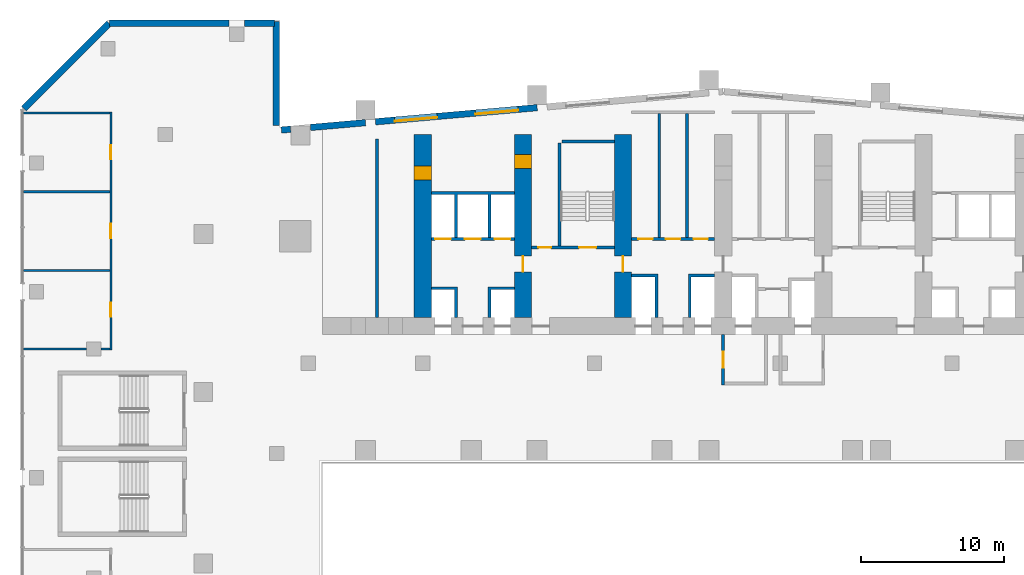
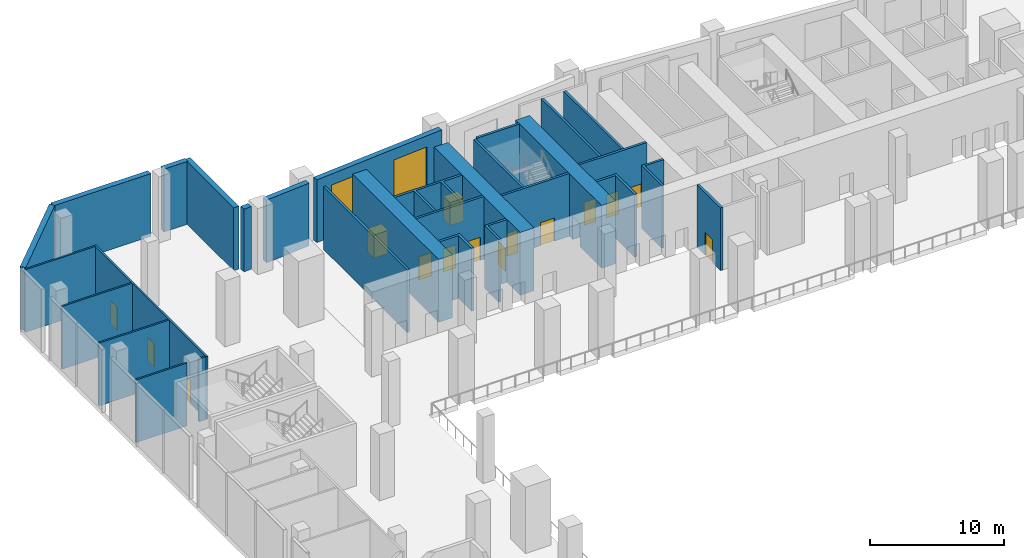
# One storey, part 14 of 30: 30 walls, 16 doors, 2 windows, 18 openings.
"""IFC4 building model written with IfcOpenShell, lengths in metres."""

from ifc_helpers import new_model, si_unit, direction, frame, frame_2d, origin, place, context, subcontext, project, spatial, polyline, rectangle, outline, extrude, material, layer, layer_set, type_object, element, fill, save


model = new_model("IFC4")

# Units and contexts
model_context = context("Model", 3, precision=1e-05, world=origin(), true_north=direction((0.0, 1.0)))
body_context = subcontext(model_context, "Body", "Model", "MODEL_VIEW")
ifc_project = project(units=[si_unit("LENGTHUNIT", "METRE"), si_unit("AREAUNIT", "SQUARE_METRE"), si_unit("VOLUMEUNIT", "CUBIC_METRE"), si_unit("PLANEANGLEUNIT", "RADIAN"), si_unit("MASSUNIT", "GRAM", prefix="KILO")], contexts=[model_context])

# Site, building, storey
site_placement = place(None, origin())
site = spatial("IfcSite", under=ifc_project, at=site_placement, CompositionType="ELEMENT")
building_placement = place(site_placement, origin())
building = spatial("IfcBuilding", under=site, at=building_placement, Name="Wharfspan Tower", CompositionType="ELEMENT")
storey_placement = place(building_placement, frame((0.0, 0.0, 21.5)))
storey = spatial("IfcBuildingStorey", under=building, at=storey_placement, Name="L03", CompositionType="ELEMENT", Elevation=21.5)

# Walls
ifc_material_1 = material(Name="Calcium silicate masonry", Category="masonry")
ifc_layer_1 = layer(ifc_material_1, 0.199951)
ifc_layer_set_1 = layer_set([ifc_layer_1], Name="Calcium silicate masonry")
wall_type_1 = type_object("IfcWallType", Name="Core room wall 200", PredefinedType="PARTITIONING", material=ifc_layer_set_1)
wall_1_placement = place(storey_placement, frame((12.800049, 35.199951, 0.0), z_axis=(0.0, 0.0, 1.0), x_axis=(0.0, 1.0, 0.0)))
element("IfcWall", 1, at=wall_1_placement, inside=storey, type_object=wall_type_1, Name="sw:L03:RM0", PredefinedType="PARTITIONING", context=body_context, shape_type="SweptSolid", body=[
    extrude(rectangle(XDim=12.467773, YDim=0.199951, at=frame_2d((6.233887, 0.0))), origin(), (0.0, 0.0, 1.0), 5.699951),
])
for number, where, z_axis, x_axis, name in (
    (2, (32.533203, 40.800049, 0.0), (0.0, 0.0, 1.0), (0.0, 1.0, 0.0), "sw:L03:RP3.1"),
    (3, (34.466797, 40.800049, 0.0), (0.0, 0.0, 1.0), (0.0, 1.0, 0.0), "sw:L03:RP3.2"),
):
    element("IfcWall", number, at=place(storey_placement, frame(where, z_axis=z_axis, x_axis=x_axis)), inside=storey, type_object=wall_type_1, Name=name, PredefinedType="PARTITIONING", context=body_context, shape_type="SweptSolid", body=[
        extrude(rectangle(XDim=8.652588, YDim=0.199951, at=frame_2d((4.326172, 0.0))), origin(), (0.0, 0.0, 1.0), 5.699951),
    ])

# Wall, opening, door
ifc_material_2 = material(Name="Concrete C70/85", Category="concrete")
ifc_layer_2 = layer(ifc_material_2, 1.199951)
ifc_layer_set_2 = layer_set([ifc_layer_2], Name="Concrete C70/85")
wall_type_2 = type_object("IfcWallType", Name="Core wall fallback 1.2", PredefinedType="SHEAR", material=ifc_layer_set_2)
wall_2_placement = place(storey_placement, frame((16.0, 35.199951, 0.0), z_axis=(0.0, 0.0, 1.0), x_axis=(0.0, 1.0, 0.0)))
wall_2 = element("IfcWall", 4, at=wall_2_placement, inside=storey, type_object=wall_type_2, Name="cw:L03:X1", PredefinedType="SHEAR", context=body_context, shape_type="SweptSolid", body=[
    extrude(rectangle(XDim=12.800049, YDim=1.199951, at=frame_2d((6.399902, 0.0))), origin(), (0.0, 0.0, 1.0), 5.699951),
])
opening_1_placement = place(wall_2_placement, frame((9.600098, 0.0, 0.0)))
opening_1 = element("IfcOpeningElement", 5, at=opening_1_placement, cuts=wall_2, Name="Opening CR03.1", PredefinedType="OPENING", context=body_context, shape_type="SweptSolid", body=[
    extrude(rectangle(XDim=1.0, YDim=2.100098, at=frame_2d((0.5, 1.050049))), frame((0.0, 0.609863, 0.0), z_axis=(0.0, -1.0, 0.0), x_axis=(1.0, 0.0, 0.0)), (0.0, 0.0, 1.0), 1.219971),
])
ifc_material_3 = material(Name="Steel door leaf", Category="steel")
door_type_1 = type_object("IfcDoorType", Name="Core room door 1000x2100", OperationType="SINGLE_SWING_LEFT", PredefinedType="DOOR", material=ifc_material_3)
door_1_placement = place(opening_1_placement, origin())
door_1 = element("IfcDoor", 6, at=door_1_placement, inside=storey, type_object=door_type_1, Name="xr:L03:1", OperationType="SINGLE_SWING_RIGHT", OverallHeight=2.100098, OverallWidth=1.0, PredefinedType="DOOR", context=body_context, shape_type="SweptSolid", body=[
    extrude(rectangle(XDim=1.0, YDim=2.100098, at=frame_2d((0.5, 1.050049))), frame((0.0, 0.599609, 0.0), z_axis=(0.0, -1.0, 0.0), x_axis=(1.0, 0.0, 0.0)), (0.0, 0.0, 1.0), 1.199463),
])
fill(opening_1, door_1)

# Wall, openings, doors
wall_3_placement = place(storey_placement, frame((23.0, 35.199951, 0.0), z_axis=(0.0, 0.0, 1.0), x_axis=(0.0, 1.0, 0.0)))
wall_3 = element("IfcWall", 7, at=wall_3_placement, inside=storey, type_object=wall_type_2, Name="cw:L03:X2", PredefinedType="SHEAR", context=body_context, shape_type="SweptSolid", body=[
    extrude(rectangle(XDim=12.800049, YDim=1.199951, at=frame_2d((6.399902, 0.0))), origin(), (0.0, 0.0, 1.0), 5.699951),
])
opening_2_placement = place(wall_3_placement, frame((10.413818, 0.0, 0.0)))
opening_2 = element("IfcOpeningElement", 8, at=opening_2_placement, cuts=wall_3, Name="Opening CD03.1X", PredefinedType="OPENING", context=body_context, shape_type="SweptSolid", body=[
    extrude(rectangle(XDim=1.0, YDim=2.100098, at=frame_2d((0.5, 1.050049))), frame((0.0, 0.609863, 0.0), z_axis=(0.0, -1.0, 0.0), x_axis=(1.0, 0.0, 0.0)), (0.0, 0.0, 1.0), 1.219971),
])
opening_3_placement = place(wall_3_placement, frame((3.199951, 0.0, 0.0)))
opening_3 = element("IfcOpeningElement", 9, at=opening_3_placement, cuts=wall_3, Name="Opening CC03.2", PredefinedType="OPENING", context=body_context, shape_type="SweptSolid", body=[
    extrude(rectangle(XDim=1.100098, YDim=2.100098, at=frame_2d((0.550049, 1.050049))), frame((0.0, 0.609863, 0.0), z_axis=(0.0, -1.0, 0.0), x_axis=(1.0, 0.0, 0.0)), (0.0, 0.0, 1.0), 1.219971),
])
door_type_2 = type_object("IfcDoorType", Name="Core corridor door 1100x2100", OperationType="SINGLE_SWING_LEFT", PredefinedType="DOOR", material=ifc_material_3)
door_2_placement = place(opening_3_placement, origin())
door_2 = element("IfcDoor", 10, at=door_2_placement, inside=storey, type_object=door_type_2, Name="xd:L03:2", OperationType="SINGLE_SWING_RIGHT", OverallHeight=2.100098, OverallWidth=1.100098, PredefinedType="DOOR", context=body_context, shape_type="SweptSolid", body=[
    extrude(rectangle(XDim=1.100098, YDim=2.100098, at=frame_2d((0.550049, 1.050049))), frame((0.0, 0.024902, 0.0), z_axis=(0.0, -1.0, 0.0), x_axis=(1.0, 0.0, 0.0)), (0.0, 0.0, 1.0), 0.050049),
])
fill(opening_3, door_2)
door_3_placement = place(opening_2_placement, origin())
door_3 = element("IfcDoor", 11, at=door_3_placement, inside=storey, type_object=door_type_1, Name="d:L03:1:sx", OperationType="SINGLE_SWING_LEFT", OverallHeight=2.100098, OverallWidth=1.0, PredefinedType="DOOR", context=body_context, shape_type="SweptSolid", body=[
    extrude(rectangle(XDim=1.0, YDim=2.100098, at=frame_2d((0.5, 1.050049))), frame((0.0, 0.599609, 0.0), z_axis=(0.0, -1.0, 0.0), x_axis=(1.0, 0.0, 0.0)), (0.0, 0.0, 1.0), 1.199463),
])
fill(opening_2, door_3)

# Wall, opening, door
wall_4_placement = place(storey_placement, frame((30.0, 35.199951, 0.0), z_axis=(0.0, 0.0, 1.0), x_axis=(0.0, 1.0, 0.0)))
wall_4 = element("IfcWall", 12, at=wall_4_placement, inside=storey, type_object=wall_type_2, Name="cw:L03:X3", PredefinedType="SHEAR", context=body_context, shape_type="SweptSolid", body=[
    extrude(rectangle(XDim=12.800049, YDim=1.199951, at=frame_2d((6.399902, 0.0))), origin(), (0.0, 0.0, 1.0), 5.699951),
])
opening_4_placement = place(wall_4_placement, frame((3.199951, 0.0, 0.0)))
opening_4 = element("IfcOpeningElement", 13, at=opening_4_placement, cuts=wall_4, Name="Opening CC03.3", PredefinedType="OPENING", context=body_context, shape_type="SweptSolid", body=[
    extrude(rectangle(XDim=1.100098, YDim=2.100098, at=frame_2d((0.550049, 1.050049))), frame((0.0, 0.609863, 0.0), z_axis=(0.0, -1.0, 0.0), x_axis=(1.0, 0.0, 0.0)), (0.0, 0.0, 1.0), 1.219971),
])
door_4_placement = place(opening_4_placement, origin())
door_4 = element("IfcDoor", 14, at=door_4_placement, inside=storey, type_object=door_type_2, Name="xd:L03:3", OperationType="SINGLE_SWING_LEFT", OverallHeight=2.100098, OverallWidth=1.100098, PredefinedType="DOOR", context=body_context, shape_type="SweptSolid", body=[
    extrude(rectangle(XDim=1.100098, YDim=2.100098, at=frame_2d((0.550049, 1.050049))), frame((0.0, 0.024902, 0.0), z_axis=(0.0, -1.0, 0.0), x_axis=(1.0, 0.0, 0.0)), (0.0, 0.0, 1.0), 0.050049),
])
fill(opening_4, door_4)

# Wall, openings, doors
ifc_material_4 = material(Name="Concrete C30/37", Category="concrete")
ifc_layer_3 = layer(ifc_material_4, 0.199951)
ifc_layer_set_3 = layer_set([ifc_layer_3], Name="Concrete C30/37")
wall_type_3 = type_object("IfcWallType", Name="Lift shaft wall 200", PredefinedType="PARTITIONING", material=ifc_layer_set_3)
wall_5_placement = place(storey_placement, frame((16.600098, 40.699951, 0.0), z_axis=(0.0, 0.0, 1.0), x_axis=(1.0, 0.0, 0.0)))
wall_5 = element("IfcWall", 15, at=wall_5_placement, inside=storey, type_object=wall_type_3, Name="sw:L03:RF1", PredefinedType="PARTITIONING", context=body_context, shape_type="SweptSolid", body=[
    extrude(rectangle(XDim=5.799805, YDim=0.199951, at=frame_2d((2.899902, 0.0))), origin(), (0.0, 0.0, 1.0), 5.699951),
])
opening_5_placement = place(wall_5_placement, frame((0.266602, 0.0, 0.0)))
opening_5 = element("IfcOpeningElement", 16, at=opening_5_placement, cuts=wall_5, Name="Opening LD.LA3.L03", PredefinedType="OPENING", context=body_context, shape_type="SweptSolid", body=[
    extrude(rectangle(XDim=1.100098, YDim=2.100098, at=frame_2d((0.550049, 1.050049))), frame((0.0, 0.109863, 0.0), z_axis=(0.0, -1.0, 0.0), x_axis=(1.0, 0.0, 0.0)), (0.0, 0.0, 1.0), 0.219971),
])
opening_6_placement = place(wall_5_placement, frame((2.350098, 0.0, 0.0)))
opening_6 = element("IfcOpeningElement", 17, at=opening_6_placement, cuts=wall_5, Name="Opening LD.LA4.L03", PredefinedType="OPENING", context=body_context, shape_type="SweptSolid", body=[
    extrude(rectangle(XDim=1.100098, YDim=2.100098, at=frame_2d((0.550049, 1.050049))), frame((0.0, 0.109863, 0.0), z_axis=(0.0, -1.0, 0.0), x_axis=(1.0, 0.0, 0.0)), (0.0, 0.0, 1.0), 0.219971),
])
opening_7_placement = place(wall_5_placement, frame((4.43335, 0.0, 0.0)))
opening_7 = element("IfcOpeningElement", 18, at=opening_7_placement, cuts=wall_5, Name="Opening LD.LA5.L03", PredefinedType="OPENING", context=body_context, shape_type="SweptSolid", body=[
    extrude(rectangle(XDim=1.100098, YDim=2.100098, at=frame_2d((0.550049, 1.050049))), frame((0.0, 0.109863, 0.0), z_axis=(0.0, -1.0, 0.0), x_axis=(1.0, 0.0, 0.0)), (0.0, 0.0, 1.0), 0.219971),
])
ifc_material_5 = material(Name="Stainless steel", Category="steel")
door_type_3 = type_object("IfcDoorType", Name="Lift landing door 1100x2100", OperationType="DOUBLE_DOOR_SLIDING", PredefinedType="DOOR", material=ifc_material_5)
door_5_placement = place(opening_5_placement, origin())
door_5 = element("IfcDoor", 19, at=door_5_placement, inside=storey, type_object=door_type_3, Name="Landing door LA3 L03", OperationType="DOUBLE_DOOR_SLIDING", OverallHeight=2.100098, OverallWidth=1.100098, PredefinedType="DOOR", context=body_context, shape_type="SweptSolid", body=[
    extrude(rectangle(XDim=1.100098, YDim=2.100098, at=frame_2d((0.550049, 1.050049))), frame((0.0, 0.024902, 0.0), z_axis=(0.0, -1.0, 0.0), x_axis=(1.0, 0.0, 0.0)), (0.0, 0.0, 1.0), 0.050049),
])
fill(opening_5, door_5)
door_6_placement = place(opening_6_placement, origin())
door_6 = element("IfcDoor", 20, at=door_6_placement, inside=storey, type_object=door_type_3, Name="Landing door LA4 L03", OperationType="DOUBLE_DOOR_SLIDING", OverallHeight=2.100098, OverallWidth=1.100098, PredefinedType="DOOR", context=body_context, shape_type="SweptSolid", body=[
    extrude(rectangle(XDim=1.100098, YDim=2.100098, at=frame_2d((0.550049, 1.050049))), frame((0.0, 0.024902, 0.0), z_axis=(0.0, -1.0, 0.0), x_axis=(1.0, 0.0, 0.0)), (0.0, 0.0, 1.0), 0.050049),
])
fill(opening_6, door_6)
door_7_placement = place(opening_7_placement, origin())
door_7 = element("IfcDoor", 21, at=door_7_placement, inside=storey, type_object=door_type_3, Name="Landing door LA5 L03", OperationType="DOUBLE_DOOR_SLIDING", OverallHeight=2.100098, OverallWidth=1.100098, PredefinedType="DOOR", context=body_context, shape_type="SweptSolid", body=[
    extrude(rectangle(XDim=1.100098, YDim=2.100098, at=frame_2d((0.550049, 1.050049))), frame((0.0, 0.024902, 0.0), z_axis=(0.0, -1.0, 0.0), x_axis=(1.0, 0.0, 0.0)), (0.0, 0.0, 1.0), 0.050049),
])
fill(opening_7, door_7)

# Walls
wall_6_placement = place(storey_placement, frame((0.0, 0.0, -0.000244)))
element("IfcWall", 22, at=wall_6_placement, inside=storey, type_object=wall_type_3, Name="sw:L03:FM1.0", PredefinedType="PARTITIONING", context=body_context, shape_type="SweptSolid", body=[
    extrude(outline(polyline([(18.233398, 37.149902), (16.600098, 37.149902), (16.600098, 37.350098), (18.233398, 37.350098), (18.43335, 37.350098), (18.43335, 35.199951), (18.233398, 35.199951), (18.233398, 37.149902)])), origin(), (0.0, 0.0, 1.0), 5.700195),
])
wall_7_placement = place(storey_placement, frame((0.0, 0.0, -0.000244)))
element("IfcWall", 23, at=wall_7_placement, inside=storey, type_object=wall_type_3, Name="sw:L03:FM1.1", PredefinedType="PARTITIONING", context=body_context, shape_type="SweptSolid", body=[
    extrude(outline(polyline([(20.56665, 37.350098), (20.766602, 37.350098), (22.399902, 37.350098), (22.399902, 37.149902), (20.766602, 37.149902), (20.766602, 35.199951), (20.56665, 35.199951), (20.56665, 37.350098)])), origin(), (0.0, 0.0, 1.0), 5.700195),
])
wall_8_placement = place(storey_placement, frame((0.0, 0.0, -0.000244)))
element("IfcWall", 24, at=wall_8_placement, inside=storey, type_object=wall_type_3, Name="sw:L03:RM1.0", PredefinedType="PARTITIONING", context=body_context, shape_type="SweptSolid", body=[
    extrude(outline(polyline([(18.43335, 40.800049), (18.233398, 40.800049), (18.233398, 43.800049), (16.600098, 43.800049), (16.600098, 44.0), (22.399902, 44.0), (22.399902, 43.800049), (20.766602, 43.800049), (20.766602, 40.800049), (20.56665, 40.800049), (20.56665, 43.800049), (18.43335, 43.800049), (18.43335, 40.800049)])), origin(), (0.0, 0.0, 1.0), 5.700195),
])

# Wall, openings, doors
wall_9_placement = place(storey_placement, frame((30.600098, 40.699951, 0.0), z_axis=(0.0, 0.0, 1.0), x_axis=(1.0, 0.0, 0.0)))
wall_9 = element("IfcWall", 25, at=wall_9_placement, inside=storey, type_object=wall_type_3, Name="sw:L03:RF3", PredefinedType="PARTITIONING", context=body_context, shape_type="SweptSolid", body=[
    extrude(rectangle(XDim=5.799805, YDim=0.199951, at=frame_2d((2.899902, 0.0))), origin(), (0.0, 0.0, 1.0), 5.699951),
])
opening_8_placement = place(wall_9_placement, frame((0.466797, 0.0, 0.0)))
opening_8 = element("IfcOpeningElement", 26, at=opening_8_placement, cuts=wall_9, Name="Opening CD03.3S", PredefinedType="OPENING", context=body_context, shape_type="SweptSolid", body=[
    extrude(rectangle(XDim=1.0, YDim=2.100098, at=frame_2d((0.5, 1.050049))), frame((0.0, 0.109863, 0.0), z_axis=(0.0, -1.0, 0.0), x_axis=(1.0, 0.0, 0.0)), (0.0, 0.0, 1.0), 0.219971),
])
opening_9_placement = place(wall_9_placement, frame((2.399902, 0.0, 0.0)))
opening_9 = element("IfcOpeningElement", 27, at=opening_9_placement, cuts=wall_9, Name="Opening CD03.3Sa", PredefinedType="OPENING", context=body_context, shape_type="SweptSolid", body=[
    extrude(rectangle(XDim=1.0, YDim=2.100098, at=frame_2d((0.5, 1.050049))), frame((0.0, 0.109863, 0.0), z_axis=(0.0, -1.0, 0.0), x_axis=(1.0, 0.0, 0.0)), (0.0, 0.0, 1.0), 0.219971),
])
opening_10_placement = place(wall_9_placement, frame((4.333252, 0.0, 0.0)))
opening_10 = element("IfcOpeningElement", 28, at=opening_10_placement, cuts=wall_9, Name="Opening CD03.3Sb", PredefinedType="OPENING", context=body_context, shape_type="SweptSolid", body=[
    extrude(rectangle(XDim=1.0, YDim=2.100098, at=frame_2d((0.5, 1.050049))), frame((0.0, 0.109863, 0.0), z_axis=(0.0, -1.0, 0.0), x_axis=(1.0, 0.0, 0.0)), (0.0, 0.0, 1.0), 0.219971),
])
door_8_placement = place(opening_8_placement, origin())
door_8 = element("IfcDoor", 29, at=door_8_placement, inside=storey, type_object=door_type_1, Name="d:L03:3:sf", OperationType="SINGLE_SWING_LEFT", OverallHeight=2.100098, OverallWidth=1.0, PredefinedType="DOOR", context=body_context, shape_type="SweptSolid", body=[
    extrude(rectangle(XDim=1.0, YDim=2.100098, at=frame_2d((0.5, 1.050049))), frame((0.0, 0.024902, 0.0), z_axis=(0.0, -1.0, 0.0), x_axis=(1.0, 0.0, 0.0)), (0.0, 0.0, 1.0), 0.050049),
])
fill(opening_8, door_8)
door_9_placement = place(opening_9_placement, origin())
door_9 = element("IfcDoor", 30, at=door_9_placement, inside=storey, type_object=door_type_1, Name="d:L03:3:sf1", OperationType="SINGLE_SWING_LEFT", OverallHeight=2.100098, OverallWidth=1.0, PredefinedType="DOOR", context=body_context, shape_type="SweptSolid", body=[
    extrude(rectangle(XDim=1.0, YDim=2.100098, at=frame_2d((0.5, 1.050049))), frame((0.0, 0.024902, 0.0), z_axis=(0.0, -1.0, 0.0), x_axis=(1.0, 0.0, 0.0)), (0.0, 0.0, 1.0), 0.050049),
])
fill(opening_9, door_9)
door_10_placement = place(opening_10_placement, origin())
door_10 = element("IfcDoor", 31, at=door_10_placement, inside=storey, type_object=door_type_1, Name="d:L03:3:sf2", OperationType="SINGLE_SWING_LEFT", OverallHeight=2.100098, OverallWidth=1.0, PredefinedType="DOOR", context=body_context, shape_type="SweptSolid", body=[
    extrude(rectangle(XDim=1.0, YDim=2.100098, at=frame_2d((0.5, 1.050049))), frame((0.0, 0.024902, 0.0), z_axis=(0.0, -1.0, 0.0), x_axis=(1.0, 0.0, 0.0)), (0.0, 0.0, 1.0), 0.050049),
])
fill(opening_10, door_10)

# Walls
wall_10_placement = place(storey_placement, frame((0.0, 0.0, -0.000244)))
element("IfcWall", 32, at=wall_10_placement, inside=storey, type_object=wall_type_3, Name="sw:L03:FM3.0", PredefinedType="PARTITIONING", context=body_context, shape_type="SweptSolid", body=[
    extrude(outline(polyline([(32.233398, 38.050049), (30.600098, 38.050049), (30.600098, 38.25), (32.233398, 38.25), (32.43335, 38.25), (32.43335, 35.199951), (32.233398, 35.199951), (32.233398, 38.050049)])), origin(), (0.0, 0.0, 1.0), 5.700195),
])
wall_11_placement = place(storey_placement, frame((0.0, 0.0, -0.000244)))
element("IfcWall", 33, at=wall_11_placement, inside=storey, type_object=wall_type_3, Name="sw:L03:FM3.1", PredefinedType="PARTITIONING", context=body_context, shape_type="SweptSolid", body=[
    extrude(outline(polyline([(34.56665, 38.25), (34.766602, 38.25), (36.399902, 38.25), (36.399902, 38.050049), (34.766602, 38.050049), (34.766602, 35.199951), (34.56665, 35.199951), (34.56665, 38.25)])), origin(), (0.0, 0.0, 1.0), 5.700195),
])

# Wall, opening, door
ifc_layer_4 = layer(ifc_material_4, 0.199951)
ifc_layer_set_4 = layer_set([ifc_layer_4], Name="Concrete C30/37")
wall_type_4 = type_object("IfcWallType", Name="Lobby wall 200", PredefinedType="PARTITIONING", material=ifc_layer_set_4)
wall_12_placement = place(storey_placement, frame((37.0, 30.5, 0.0), z_axis=(0.0, 0.0, 1.0), x_axis=(0.0, 1.0, 0.0)))
wall_12 = element("IfcWall", 34, at=wall_12_placement, inside=storey, type_object=wall_type_4, Name="sw:L03:FLFF1W", PredefinedType="PARTITIONING", context=body_context, shape_type="SweptSolid", body=[
    extrude(rectangle(XDim=3.5, YDim=0.199951, at=frame_2d((1.75, 0.0))), origin(), (0.0, 0.0, 1.0), 5.699951),
])
opening_11_placement = place(wall_12_placement, frame((1.199951, 0.0, 0.0)))
opening_11 = element("IfcOpeningElement", 35, at=opening_11_placement, cuts=wall_12, Name="Opening FL.FF1.L03", PredefinedType="OPENING", context=body_context, shape_type="SweptSolid", body=[
    extrude(rectangle(XDim=1.100098, YDim=2.100098, at=frame_2d((0.550049, 1.050049))), frame((0.0, 0.109863, 0.0), z_axis=(0.0, -1.0, 0.0), x_axis=(1.0, 0.0, 0.0)), (0.0, 0.0, 1.0), 0.219971),
])
door_type_4 = type_object("IfcDoorType", Name="Firefighting lobby door 1100x2100", OperationType="SINGLE_SWING_LEFT", PredefinedType="DOOR", material=ifc_material_3)
door_11_placement = place(opening_11_placement, origin())
door_11 = element("IfcDoor", 36, at=door_11_placement, inside=storey, type_object=door_type_4, Name="fd:L03:FF1", OperationType="SINGLE_SWING_LEFT", OverallHeight=2.100098, OverallWidth=1.100098, PredefinedType="DOOR", context=body_context, shape_type="SweptSolid", body=[
    extrude(rectangle(XDim=1.100098, YDim=2.100098, at=frame_2d((0.550049, 1.050049))), frame((0.0, 0.024902, 0.0), z_axis=(0.0, -1.0, 0.0), x_axis=(1.0, 0.0, 0.0)), (0.0, 0.0, 1.0), 0.050049),
])
fill(opening_11, door_11)

# Wall, openings, doors
ifc_layer_5 = layer(ifc_material_1, 0.149902)
ifc_layer_set_5 = layer_set([ifc_layer_5], Name="Calcium silicate masonry")
wall_type_5 = type_object("IfcWallType", Name="Podium room wall 150", PredefinedType="PARTITIONING", material=ifc_layer_set_5)
wall_13_placement = place(storey_placement, frame((-5.800049, 32.925049, 0.0), z_axis=(0.0, 0.0, 1.0), x_axis=(0.0, 1.0, 0.0)))
wall_13 = element("IfcWall", 37, at=wall_13_placement, inside=storey, type_object=wall_type_5, Name="iw:L03:5", PredefinedType="PARTITIONING", context=body_context, shape_type="SweptSolid", body=[
    extrude(rectangle(XDim=16.649902, YDim=0.149902, at=frame_2d((8.324951, 0.0))), origin(), (0.0, 0.0, 1.0), 5.699951),
])
opening_12_placement = place(wall_13_placement, frame((2.324951, 0.0, 0.0)))
opening_12 = element("IfcOpeningElement", 38, at=opening_12_placement, cuts=wall_13, Name="Opening PD03.13", PredefinedType="OPENING", context=body_context, shape_type="SweptSolid", body=[
    extrude(rectangle(XDim=1.0, YDim=2.100098, at=frame_2d((0.5, 1.050049))), frame((0.0, 0.084961, 0.0), z_axis=(0.0, -1.0, 0.0), x_axis=(1.0, 0.0, 0.0)), (0.0, 0.0, 1.0), 0.169922),
])
opening_13_placement = place(wall_13_placement, frame((7.824951, 0.0, 0.0)))
opening_13 = element("IfcOpeningElement", 39, at=opening_13_placement, cuts=wall_13, Name="Opening PD03.14", PredefinedType="OPENING", context=body_context, shape_type="SweptSolid", body=[
    extrude(rectangle(XDim=1.0, YDim=2.100098, at=frame_2d((0.5, 1.050049))), frame((0.0, 0.084961, 0.0), z_axis=(0.0, -1.0, 0.0), x_axis=(1.0, 0.0, 0.0)), (0.0, 0.0, 1.0), 0.169922),
])
opening_14_placement = place(wall_13_placement, frame((13.324951, 0.0, 0.0)))
opening_14 = element("IfcOpeningElement", 40, at=opening_14_placement, cuts=wall_13, Name="Opening PD03.15", PredefinedType="OPENING", context=body_context, shape_type="SweptSolid", body=[
    extrude(rectangle(XDim=1.0, YDim=2.100098, at=frame_2d((0.5, 1.050049))), frame((0.0, 0.084961, 0.0), z_axis=(0.0, -1.0, 0.0), x_axis=(1.0, 0.0, 0.0)), (0.0, 0.0, 1.0), 0.169922),
])
door_type_5 = type_object("IfcDoorType", Name="Podium room door 1000x2100", OperationType="SINGLE_SWING_LEFT", PredefinedType="DOOR", material=ifc_material_3)
door_12_placement = place(opening_12_placement, origin())
door_12 = element("IfcDoor", 41, at=door_12_placement, inside=storey, type_object=door_type_5, Name="id:L03:13", OperationType="SINGLE_SWING_RIGHT", OverallHeight=2.100098, OverallWidth=1.0, PredefinedType="DOOR", context=body_context, shape_type="SweptSolid", body=[
    extrude(rectangle(XDim=1.0, YDim=2.100098, at=frame_2d((0.5, 1.050049))), frame((0.0, 0.024902, 0.0), z_axis=(0.0, -1.0, 0.0), x_axis=(1.0, 0.0, 0.0)), (0.0, 0.0, 1.0), 0.050049),
])
fill(opening_12, door_12)
door_13_placement = place(opening_13_placement, origin())
door_13 = element("IfcDoor", 42, at=door_13_placement, inside=storey, type_object=door_type_5, Name="id:L03:14", OperationType="SINGLE_SWING_LEFT", OverallHeight=2.100098, OverallWidth=1.0, PredefinedType="DOOR", context=body_context, shape_type="SweptSolid", body=[
    extrude(rectangle(XDim=1.0, YDim=2.100098, at=frame_2d((0.5, 1.050049))), frame((0.0, 0.024902, 0.0), z_axis=(0.0, -1.0, 0.0), x_axis=(1.0, 0.0, 0.0)), (0.0, 0.0, 1.0), 0.050049),
])
fill(opening_13, door_13)
door_14_placement = place(opening_14_placement, origin())
door_14 = element("IfcDoor", 43, at=door_14_placement, inside=storey, type_object=door_type_5, Name="id:L03:15", OperationType="SINGLE_SWING_RIGHT", OverallHeight=2.100098, OverallWidth=1.0, PredefinedType="DOOR", context=body_context, shape_type="SweptSolid", body=[
    extrude(rectangle(XDim=1.0, YDim=2.100098, at=frame_2d((0.5, 1.050049))), frame((0.0, 0.024902, 0.0), z_axis=(0.0, -1.0, 0.0), x_axis=(1.0, 0.0, 0.0)), (0.0, 0.0, 1.0), 0.050049),
])
fill(opening_14, door_14)

# Walls
wall_14_placement = place(storey_placement, frame((-11.89502, 33.0, 0.0), z_axis=(0.0, 0.0, 1.0), x_axis=(1.0, 0.0, 0.0)))
element("IfcWall", 44, at=wall_14_placement, inside=storey, type_object=wall_type_5, Name="iw:L03:28", PredefinedType="PARTITIONING", context=body_context, shape_type="SweptSolid", body=[
    extrude(rectangle(XDim=4.38501, YDim=0.149902, at=frame_2d((2.192383, 0.0))), origin(), (0.0, 0.0, 1.0), 5.699951),
])
wall_15_placement = place(storey_placement, frame((-6.48999, 33.0, 0.0), z_axis=(0.0, 0.0, 1.0), x_axis=(1.0, 0.0, 0.0)))
element("IfcWall", 45, at=wall_15_placement, inside=storey, type_object=wall_type_5, Name="iw:L03:29", PredefinedType="PARTITIONING", context=body_context, shape_type="SweptSolid", body=[
    extrude(rectangle(XDim=0.61499, YDim=0.149902, at=frame_2d((0.307617, 0.0))), origin(), (0.0, 0.0, 1.0), 5.699951),
])
for number, where, z_axis, x_axis, name in (
    (46, (-11.89502, 38.5, 0.0), (0.0, 0.0, 1.0), (1.0, 0.0, 0.0), "iw:L03:30"),
    (47, (-11.89502, 44.0, 0.0), (0.0, 0.0, 1.0), (1.0, 0.0, 0.0), "iw:L03:31"),
    (48, (-11.89502, 49.5, 0.0), (0.0, 0.0, 1.0), (1.0, 0.0, 0.0), "iw:L03:32"),
):
    element("IfcWall", number, at=place(storey_placement, frame(where, z_axis=z_axis, x_axis=x_axis)), inside=storey, type_object=wall_type_5, Name=name, PredefinedType="PARTITIONING", context=body_context, shape_type="SweptSolid", body=[
        extrude(rectangle(XDim=6.02002, YDim=0.149902, at=frame_2d((3.01001, 0.0))), origin(), (0.0, 0.0, 1.0), 5.699951),
    ])

# Wall, openings, doors
ifc_material_6 = material(Name="Concrete C40/50", Category="concrete")
ifc_layer_6 = layer(ifc_material_6, 0.199951)
ifc_layer_set_6 = layer_set([ifc_layer_6], Name="Concrete C40/50")
wall_type_6 = type_object("IfcWallType", Name="Stair shaft wall 200", PredefinedType="SHEAR", material=ifc_layer_set_6)
wall_16_placement = place(storey_placement, frame((23.600098, 40.100098, 0.0), z_axis=(0.0, 0.0, 1.0), x_axis=(1.0, 0.0, 0.0)))
wall_16 = element("IfcWall", 49, at=wall_16_placement, inside=storey, type_object=wall_type_6, Name="ST1 stair enclosure wall L03", PredefinedType="SHEAR", context=body_context, shape_type="SweptSolid", body=[
    extrude(rectangle(XDim=5.799805, YDim=0.199951, at=frame_2d((2.899902, 0.0))), origin(), (0.0, 0.0, 1.0), 5.699951),
])
opening_15_placement = place(wall_16_placement, frame((3.324951, 0.0, 0.0)))
opening_15 = element("IfcOpeningElement", 50, at=opening_15_placement, cuts=wall_16, Name="Opening SD2.L03", PredefinedType="OPENING", context=body_context, shape_type="SweptSolid", body=[
    extrude(rectangle(XDim=1.199951, YDim=2.100098, at=frame_2d((0.600098, 1.050049))), frame((0.0, 0.109863, 0.0), z_axis=(0.0, -1.0, 0.0), x_axis=(1.0, 0.0, 0.0)), (0.0, 0.0, 1.0), 0.219971),
])
opening_16_placement = place(wall_16_placement, frame((0.475098, 0.0, 0.0)))
opening_16 = element("IfcOpeningElement", 51, at=opening_16_placement, cuts=wall_16, Name="Opening CD03.2R", PredefinedType="OPENING", context=body_context, shape_type="SweptSolid", body=[
    extrude(rectangle(XDim=0.899902, YDim=2.100098, at=frame_2d((0.449951, 1.050049))), frame((0.0, 0.109863, 0.0), z_axis=(0.0, -1.0, 0.0), x_axis=(1.0, 0.0, 0.0)), (0.0, 0.0, 1.0), 0.219971),
])
door_15_placement = place(opening_16_placement, origin())
door_15 = element("IfcDoor", 52, at=door_15_placement, inside=storey, type_object=door_type_1, Name="rk:L03:2", OperationType="SINGLE_SWING_LEFT", OverallHeight=2.100098, OverallWidth=0.899902, PredefinedType="DOOR", context=body_context, shape_type="SweptSolid", body=[
    extrude(rectangle(XDim=0.899902, YDim=2.100098, at=frame_2d((0.449951, 1.050049))), frame((0.0, 0.024902, 0.0), z_axis=(0.0, -1.0, 0.0), x_axis=(1.0, 0.0, 0.0)), (0.0, 0.0, 1.0), 0.050049),
])
fill(opening_16, door_15)
door_type_6 = type_object("IfcDoorType", Name="Stair door 1200x2100", OperationType="SINGLE_SWING_LEFT", PredefinedType="DOOR", material=ifc_material_3)
door_16_placement = place(opening_15_placement, origin())
door_16 = element("IfcDoor", 53, at=door_16_placement, inside=storey, type_object=door_type_6, Name="sd:L03:2", OperationType="SINGLE_SWING_RIGHT", OverallHeight=2.100098, OverallWidth=1.199951, PredefinedType="DOOR", context=body_context, shape_type="SweptSolid", body=[
    extrude(rectangle(XDim=1.199951, YDim=2.100098, at=frame_2d((0.600098, 1.050049))), frame((0.0, 0.024902, 0.0), z_axis=(0.0, -1.0, 0.0), x_axis=(1.0, 0.0, 0.0)), (0.0, 0.0, 1.0), 0.050049),
])
fill(opening_15, door_16)

# Walls
wall_17_placement = place(storey_placement, frame((25.550049, 40.199951, 0.0), z_axis=(0.0, 0.0, 1.0), x_axis=(0.0, 1.0, 0.0)))
element("IfcWall", 54, at=wall_17_placement, inside=storey, type_object=wall_type_6, Name="ST1 stair enclosure wall L03", PredefinedType="SHEAR", context=body_context, shape_type="SweptSolid", body=[
    extrude(rectangle(XDim=7.199951, YDim=0.199951, at=frame_2d((3.600098, 0.0))), origin(), (0.0, 0.0, 1.0), 5.699951),
])
wall_18_placement = place(storey_placement, frame((25.75, 47.5, 0.0), z_axis=(0.0, 0.0, 1.0), x_axis=(1.0, 0.0, 0.0)))
element("IfcWall", 55, at=wall_18_placement, inside=storey, type_object=wall_type_6, Name="ST1 stair enclosure wall L03", PredefinedType="SHEAR", context=body_context, shape_type="SweptSolid", body=[
    extrude(rectangle(XDim=3.649902, YDim=0.199951, at=frame_2d((1.824951, 0.0))), origin(), (0.0, 0.0, 1.0), 5.699951),
])

# Wall, openings, windows
ifc_layer_7 = layer(ifc_material_6, 0.449951)
ifc_layer_set_7 = layer_set([ifc_layer_7], Name="Concrete C40/50")
wall_type_7 = type_object("IfcWallType", Name="WALL BOARD-MARKED CONCRETE 450", PredefinedType="SOLIDWALL", material=ifc_layer_set_7)
wall_19_placement = place(storey_placement, frame((23.999756, 49.873779, 0.0), z_axis=(0.0, 0.0, 1.0), x_axis=(-0.996195, -0.087145, 0.0)))
wall_19 = element("IfcWall", 56, at=wall_19_placement, inside=storey, type_object=wall_type_7, Name="Podium wall PF8", PredefinedType="SOLIDWALL", context=body_context, shape_type="SweptSolid", body=[
    extrude(rectangle(XDim=11.343506, YDim=0.449951, at=frame_2d((5.671875, 0.0))), origin(), (0.0, 0.0, 1.0), 5.699951),
])
opening_17_placement = place(wall_19_placement, frame((1.335938, 0.0, 1.0)))
opening_17 = element("IfcOpeningElement", 57, at=opening_17_placement, cuts=wall_19, Name="Opening EWN3", PredefinedType="OPENING", context=body_context, shape_type="SweptSolid", body=[
    extrude(rectangle(XDim=3.0, YDim=3.699951, at=frame_2d((1.5, 1.850098))), frame((0.0, 0.234863, 0.0), z_axis=(0.0, -1.0, 0.0), x_axis=(1.0, 0.0, 0.0)), (0.0, 0.0, 1.0), 0.469971),
])
opening_18_placement = place(wall_19_placement, frame((7.007568, 0.0, 1.0)))
opening_18 = element("IfcOpeningElement", 58, at=opening_18_placement, cuts=wall_19, Name="Opening EWN3", PredefinedType="OPENING", context=body_context, shape_type="SweptSolid", body=[
    extrude(rectangle(XDim=3.0, YDim=3.699951, at=frame_2d((1.5, 1.850098))), frame((0.0, 0.234863, 0.0), z_axis=(0.0, -1.0, 0.0), x_axis=(1.0, 0.0, 0.0)), (0.0, 0.0, 1.0), 0.469971),
])
ifc_material_7 = material(Name="Aluminium 6063-T6", Category="aluminium")
window_type = type_object("IfcWindowType", Name="WINDOW 3000x3700", PartitioningType="SINGLE_PANEL", PredefinedType="WINDOW", material=ifc_material_7)
window_1_placement = place(opening_17_placement, origin())
window_1 = element("IfcWindow", 59, at=window_1_placement, inside=storey, type_object=window_type, Name="Podium window", OverallHeight=3.699951, OverallWidth=3.0, PartitioningType="SINGLE_PANEL", PredefinedType="WINDOW", context=body_context, shape_type="SweptSolid", body=[
    extrude(rectangle(XDim=3.0, YDim=3.699951, at=frame_2d((1.5, 1.850098))), frame((0.0, 0.10498, 0.0), z_axis=(0.0, -1.0, 0.0), x_axis=(1.0, 0.0, 0.0)), (0.0, 0.0, 1.0), 0.060059),
])
fill(opening_17, window_1)
window_2_placement = place(opening_18_placement, origin())
window_2 = element("IfcWindow", 60, at=window_2_placement, inside=storey, type_object=window_type, Name="Podium window", OverallHeight=3.699951, OverallWidth=3.0, PartitioningType="SINGLE_PANEL", PredefinedType="WINDOW", context=body_context, shape_type="SweptSolid", body=[
    extrude(rectangle(XDim=3.0, YDim=3.699951, at=frame_2d((1.5, 1.850098))), frame((0.0, 0.10498, 0.0), z_axis=(0.0, -1.0, 0.0), x_axis=(1.0, 0.0, 0.0)), (0.0, 0.0, 1.0), 0.060059),
])
fill(opening_18, window_2)

# Walls
wall_20_placement = place(storey_placement, frame((11.999756, 48.823975, 0.0), z_axis=(0.0, 0.0, 1.0), x_axis=(-0.9962, -0.087124, 0.0)))
element("IfcWall", 61, at=wall_20_placement, inside=storey, type_object=wall_type_7, Name="Podium wall PF8", PredefinedType="SOLIDWALL", context=body_context, shape_type="SweptSolid", body=[
    extrude(rectangle(XDim=3.858643, YDim=0.449951, at=frame_2d((1.929199, 0.0))), origin(), (0.0, 0.0, 1.0), 5.699951),
])
wall_21_placement = place(storey_placement, frame((6.766846, 48.366211, 0.0), z_axis=(0.0, 0.0, 1.0), x_axis=(-0.996201, -0.087116, 0.0)))
element("IfcWall", 62, at=wall_21_placement, inside=storey, type_object=wall_type_7, Name="Podium wall PF8", PredefinedType="SOLIDWALL", context=body_context, shape_type="SweptSolid", body=[
    extrude(rectangle(XDim=0.650146, YDim=0.449951, at=frame_2d((0.325195, 0.0))), origin(), (0.0, 0.0, 1.0), 5.699951),
])
wall_22_placement = place(storey_placement, frame((5.774902, 48.625, 0.0), z_axis=(0.0, 0.0, 1.0), x_axis=(0.0, 1.0, 0.0)))
element("IfcWall", 63, at=wall_22_placement, inside=storey, type_object=wall_type_7, Name="Podium wall PF9", PredefinedType="SOLIDWALL", context=body_context, shape_type="SweptSolid", body=[
    extrude(rectangle(XDim=7.274902, YDim=0.449951, at=frame_2d((3.637451, 0.0))), origin(), (0.0, 0.0, 1.0), 5.699951),
])
wall_23_placement = place(storey_placement, frame((2.449951, 55.774902, 0.0), z_axis=(0.0, 0.0, 1.0), x_axis=(-1.0, 0.0, 0.0)))
element("IfcWall", 64, at=wall_23_placement, inside=storey, type_object=wall_type_7, Name="Podium wall PF10", PredefinedType="SOLIDWALL", context=body_context, shape_type="SweptSolid", body=[
    extrude(rectangle(XDim=8.349854, YDim=0.449951, at=frame_2d((4.174805, 0.0))), origin(), (0.0, 0.0, 1.0), 5.699951),
])
wall_24_placement = place(storey_placement, frame((5.639893, 55.774902, 0.0), z_axis=(0.0, 0.0, 1.0), x_axis=(-1.0, 0.0, 0.0)))
element("IfcWall", 65, at=wall_24_placement, inside=storey, type_object=wall_type_7, Name="Podium wall PF10", PredefinedType="SOLIDWALL", context=body_context, shape_type="SweptSolid", body=[
    extrude(rectangle(XDim=2.089844, YDim=0.449951, at=frame_2d((1.044922, 0.0))), origin(), (0.0, 0.0, 1.0), 5.699951),
])
wall_25_placement = place(storey_placement, frame((-5.911621, 55.770264, 0.0), z_axis=(0.0, 0.0, 1.0), x_axis=(-0.707092, -0.707121, 0.0)))
element("IfcWall", 66, at=wall_25_placement, inside=storey, type_object=wall_type_7, Name="Podium wall PF11", PredefinedType="SOLIDWALL", context=body_context, shape_type="SweptSolid", body=[
    extrude(rectangle(XDim=8.425293, YDim=0.449951, at=frame_2d((4.212646, 0.0))), origin(), (0.0, 0.0, 1.0), 5.699951),
])

save(model, "model.ifc")
